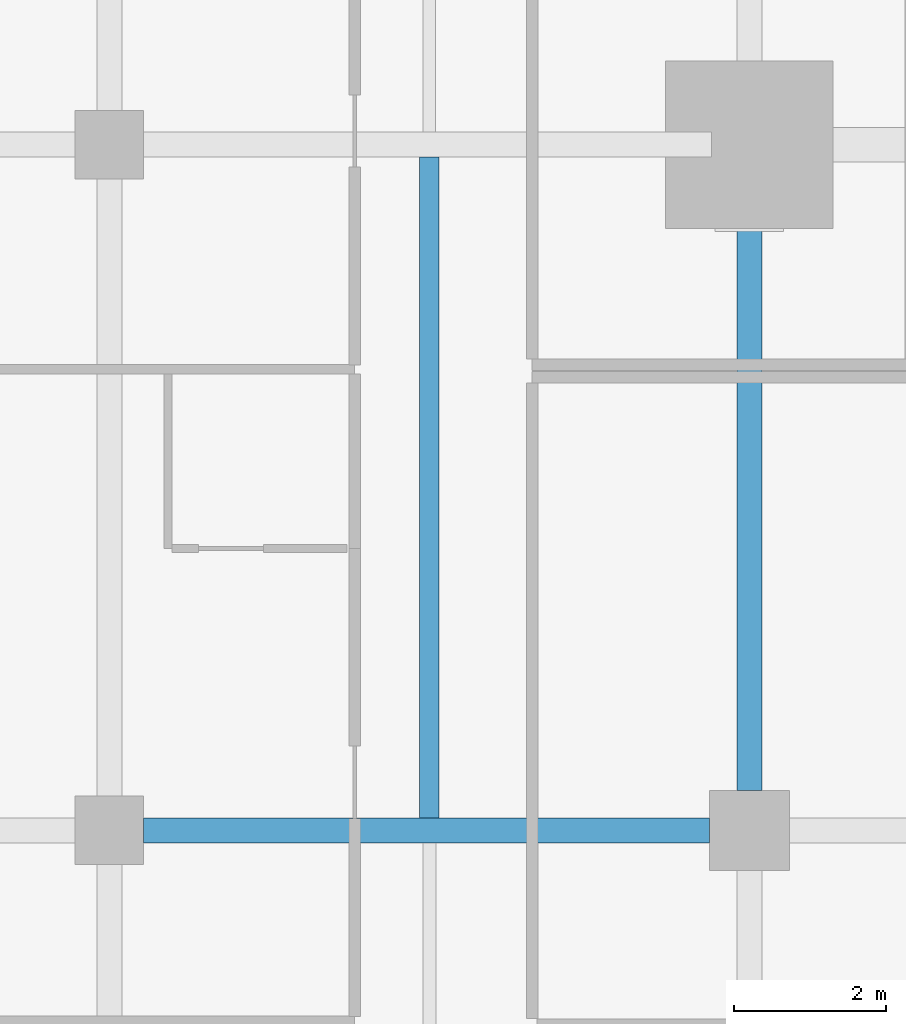
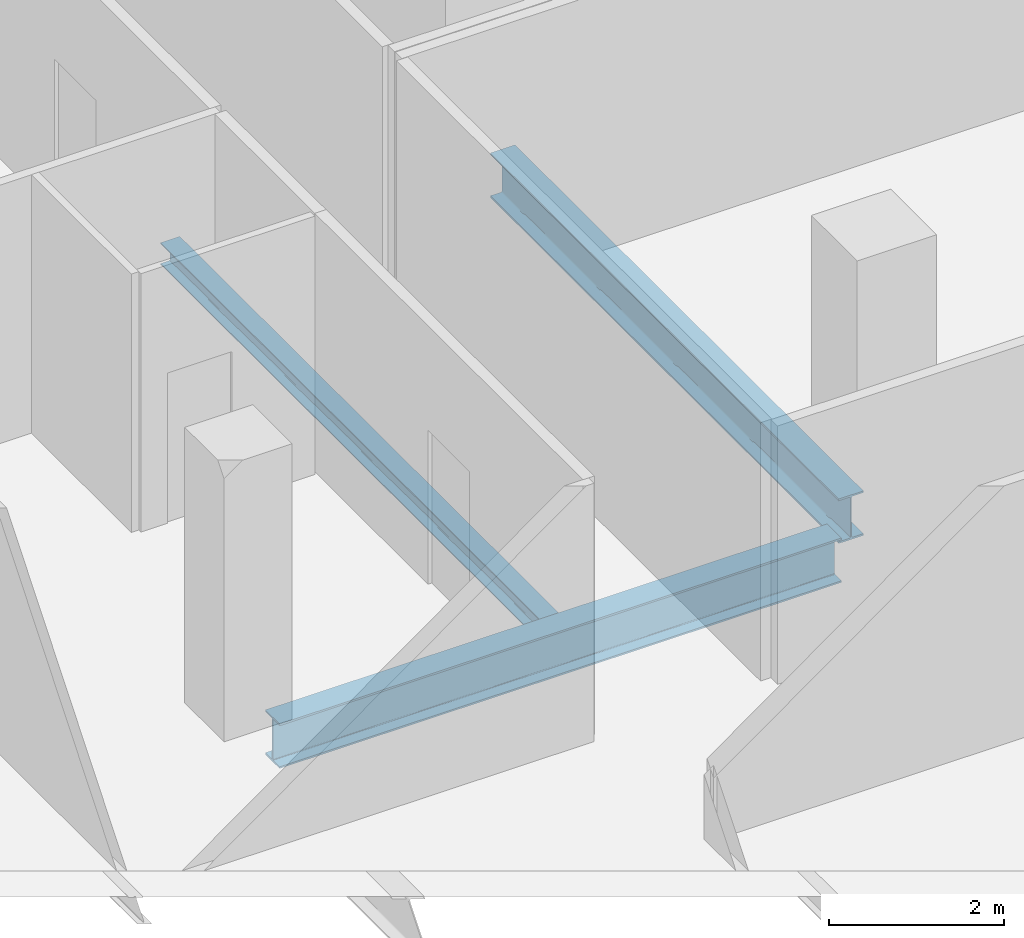
# One storey, part 11 of 39: 3 beams.
"""IFC4 building model written with IfcOpenShell, lengths in metres."""

from ifc_helpers import new_model, si_unit, direction, frame, origin, origin_2d, place, context, subcontext, project, spatial, i_section, extrude, material, material_profile, profile_set, type_object, element, save


model = new_model("IFC4")

# Units and contexts
model_context = context("Model", 3, precision=1e-05, world=origin(), true_north=direction((0.0, 1.0)))
body_context = subcontext(model_context, "Body", "Model", "MODEL_VIEW")
ifc_project = project(units=[si_unit("LENGTHUNIT", "METRE"), si_unit("AREAUNIT", "SQUARE_METRE"), si_unit("VOLUMEUNIT", "CUBIC_METRE"), si_unit("PLANEANGLEUNIT", "RADIAN"), si_unit("MASSUNIT", "GRAM", prefix="KILO")], contexts=[model_context])

# Site, building, storey
site_placement = place(None, origin())
site = spatial("IfcSite", under=ifc_project, at=site_placement, CompositionType="ELEMENT")
building_placement = place(site_placement, origin())
building = spatial("IfcBuilding", under=site, at=building_placement, Name="Maruvema Waterfront Hotel and Observation Tower", CompositionType="ELEMENT")
storey_placement = place(building_placement, frame((0.0, 0.0, 69.300048828125)))
storey = spatial("IfcBuildingStorey", under=building, at=storey_placement, Name="L16", CompositionType="ELEMENT", Elevation=69.300048828125)

# Beams
ifc_material_1 = material(Name="Steel ASTM A572 Grade 50", Category="steel")
ifc_material_profile_1 = material_profile(ifc_material_1, i_section(OverallWidth=0.326904296875, OverallDepth=0.6220703125, WebThickness=0.015380859375, FlangeThickness=0.0244140625, FilletRadius=0.01806640625, at=origin_2d()), Name="W610x195.0")
ifc_profile_set_1 = profile_set([ifc_material_profile_1], Name="Steel ASTM A572 Grade 50")
beam_type_1 = type_object("IfcBeamType", Name="Primary Floor Girder W610x195.0", PredefinedType="BEAM", material=ifc_profile_set_1)
beam_1_placement = place(storey_placement, frame((17.25, 18.0, -0.551025390625), z_axis=(1.0, 0.0, 0.0), x_axis=(0.0, 1.0, 0.0)))
element("IfcBeam", 1, at=beam_1_placement, inside=storey, type_object=beam_type_1, Name="L16 Floor Girder EW-14", PredefinedType="BEAM", context=body_context, shape_type="SweptSolid", body=[
    extrude(i_section(OverallWidth=0.326904296875, OverallDepth=0.6220703125, WebThickness=0.015380859375, FlangeThickness=0.0244140625, FilletRadius=0.01806640625, at=origin_2d()), origin(), (0.0, 0.0, 1.0), 7.425048828125),
])
beam_2_placement = place(storey_placement, frame((25.199951171875, 18.52490234375, -0.551025390625), z_axis=(0.0, 1.0, 0.0), x_axis=(-1.0, 0.0, 0.0)))
element("IfcBeam", 2, at=beam_2_placement, inside=storey, type_object=beam_type_1, Name="L16 Floor Girder NS-13", PredefinedType="BEAM", context=body_context, shape_type="SweptSolid", body=[
    extrude(i_section(OverallWidth=0.326904296875, OverallDepth=0.6220703125, WebThickness=0.015380859375, FlangeThickness=0.0244140625, FilletRadius=0.01806640625, at=origin_2d()), origin(), (0.0, 0.0, 1.0), 7.97509765625),
])
ifc_material_2 = material(Name="Steel ASTM A572 Grade 50", Category="steel")
ifc_material_profile_2 = material_profile(ifc_material_2, i_section(OverallWidth=0.25390625, OverallDepth=0.305908203125, WebThickness=0.0087890625, FlangeThickness=0.0146484375, FilletRadius=0.014892578125, at=origin_2d()), Name="W310x79.0")
ifc_profile_set_2 = profile_set([ifc_material_profile_2], Name="Steel ASTM A572 Grade 50")
beam_type_2 = type_object("IfcBeamType", Name="Secondary Floor Joist W310x79.0", PredefinedType="JOIST", material=ifc_profile_set_2)
beam_3_placement = place(storey_placement, frame((21.0, 18.16357421875, -0.39306640625), z_axis=(0.0, 1.0, 0.0), x_axis=(-1.0, 0.0, 0.0)))
element("IfcBeam", 3, at=beam_3_placement, inside=storey, type_object=beam_type_2, Name="L16 Secondary Floor Joist JS-07", PredefinedType="JOIST", context=body_context, shape_type="SweptSolid", body=[
    extrude(i_section(OverallWidth=0.25390625, OverallDepth=0.305908203125, WebThickness=0.0087890625, FlangeThickness=0.0146484375, FilletRadius=0.014892578125, at=origin_2d()), origin(), (0.0, 0.0, 1.0), 8.6728515625),
])

save(model, "model.ifc")
